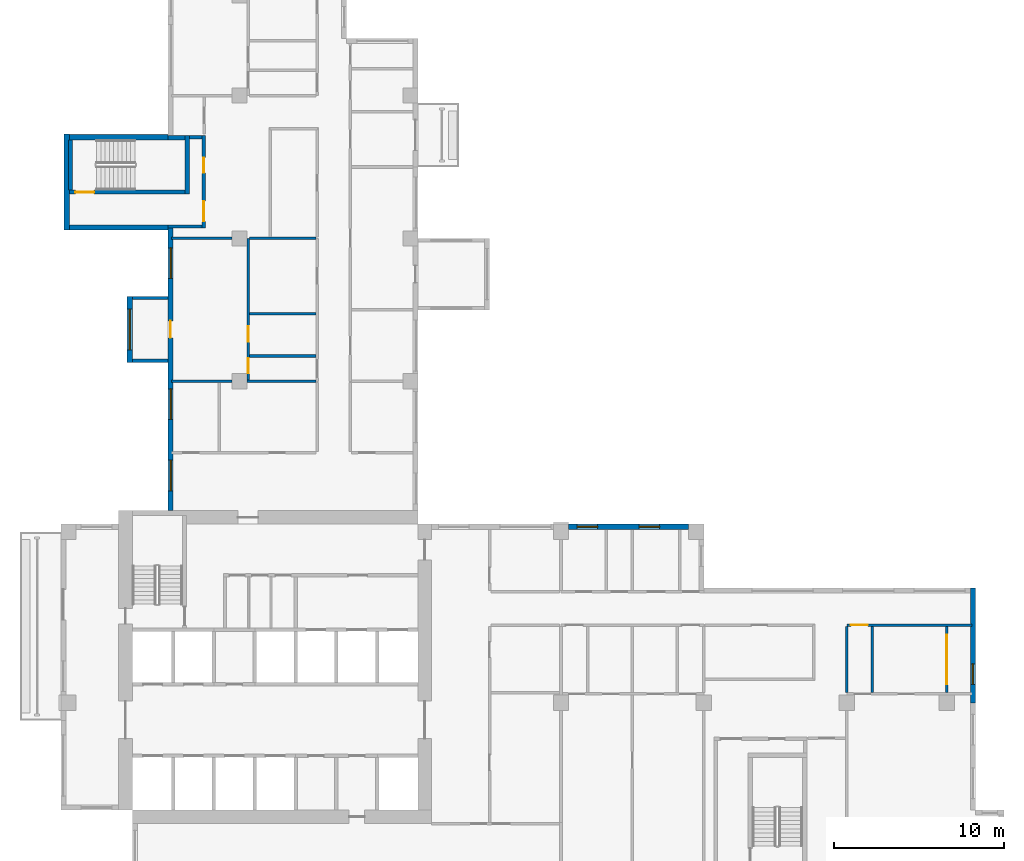
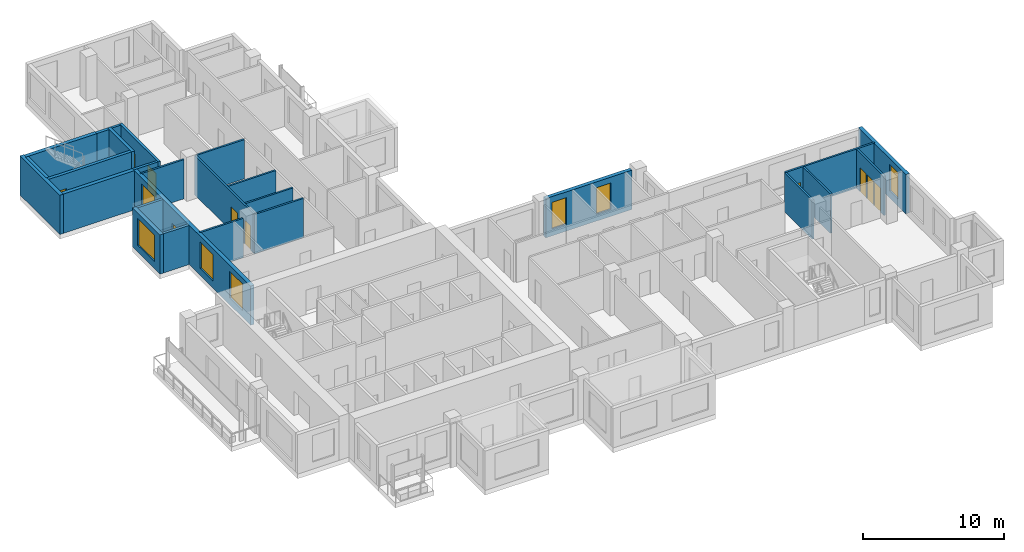
# One storey, part 6 of 12: 27 walls, 10 doors, 7 windows, 17 openings.
"""IFC4 building model written with IfcOpenShell, lengths in metres."""

from ifc_helpers import new_model, si_unit, direction, frame, frame_2d, origin, place, context, subcontext, project, spatial, rectangle, extrude, source, transform, mapped, material, layer, layer_set, type_object, element, fill, save


model = new_model("IFC4")

# Units and contexts
model_context = context("Model", 3, precision=1e-05, world=origin(), true_north=direction((0.0, 1.0)))
body_context = subcontext(model_context, "Body", "Model", "MODEL_VIEW")
ifc_project = project(units=[si_unit("LENGTHUNIT", "METRE"), si_unit("AREAUNIT", "SQUARE_METRE"), si_unit("VOLUMEUNIT", "CUBIC_METRE"), si_unit("PLANEANGLEUNIT", "RADIAN"), si_unit("MASSUNIT", "GRAM", prefix="KILO")], contexts=[model_context])

# Site, building, storey
site_placement = place(None, origin())
site = spatial("IfcSite", under=ifc_project, at=site_placement, CompositionType="ELEMENT")
building_placement = place(site_placement, origin())
building = spatial("IfcBuilding", under=site, at=building_placement, Name="Aurelian Terraces", CompositionType="ELEMENT")
storey_placement = place(building_placement, frame((0.0, 0.0, 223.4)))
storey = spatial("IfcBuildingStorey", under=building, at=storey_placement, Name="L50", CompositionType="ELEMENT", Elevation=223.4)

# Walls
ifc_material_1 = material(Name="Concrete fc' 40 MPa", Category="concrete")
ifc_layer_1 = layer(ifc_material_1, 0.3)
ifc_layer_set_1 = layer_set([ifc_layer_1], Name="STAIR BAY WALL 300")
wall_type_1 = type_object("IfcWallType", Name="STAIR BAY WALL 300", PredefinedType="SOLIDWALL", material=ifc_layer_set_1)
shared_shape_1 = source(origin(), body_context, "Body", "SweptSolid", [
    extrude(rectangle(XDim=6.1, YDim=0.3, at=frame_2d((3.05, 0.0))), origin(), (0.0, 0.0, 1.0), 3.4),
])
for number, where, z_axis, x_axis, name in (
    (1, (6.3, 43.75, 0.0), (0.0, 0.0, 1.0), (-1.0, 0.0, 0.0), "Stair bay wall L50 F13.27"),
    (2, (0.2, 38.45, 0.0), (0.0, 0.0, 1.0), (1.0, 0.0, 0.0), "Stair bay wall L50 F15.29"),
):
    element("IfcWall", number, at=place(storey_placement, frame(where, z_axis=z_axis, x_axis=x_axis)), inside=storey, type_object=wall_type_1, Name=name, PredefinedType="SOLIDWALL", context=body_context, shape_type="MappedRepresentation", body=[
        mapped(shared_shape_1, transform((0.0, 0.0, 0.0), scale=1.0)),
    ])

# Wall, openings, windows
ifc_material_2 = material(Name="Terracotta rainscreen cladding", Category="masonry")
ifc_layer_2 = layer(ifc_material_2, 0.3)
ifc_layer_set_2 = layer_set([ifc_layer_2], Name="EW-300")
wall_type_2 = type_object("IfcWallType", Name="EW-300", PredefinedType="STANDARD", material=ifc_layer_set_2)
shared_shape_2 = source(origin(), body_context, "Body", "SweptSolid", [
    extrude(rectangle(XDim=7.05, YDim=0.3, at=frame_2d((3.525, 0.0))), origin(), (0.0, 0.0, 1.0), 3.4),
])
wall_1_placement = place(storey_placement, frame((36.9, 20.85, 0.0), z_axis=(0.0, 0.0, 1.0), x_axis=(-1.0, 0.0, 0.0)))
wall_1 = element("IfcWall", 3, at=wall_1_placement, inside=storey, type_object=wall_type_2, Name="External wall L50 F07.15", PredefinedType="STANDARD", context=body_context, shape_type="MappedRepresentation", body=[
    mapped(shared_shape_2, transform((0.0, 0.0, 0.0), scale=1.0)),
])
shared_shape_3 = source(origin(), body_context, "Body", "SweptSolid", [
    extrude(rectangle(XDim=1.2, YDim=2.3, at=frame_2d((0.6, 1.15))), frame((0.0, 0.16, 0.0), z_axis=(0.0, -1.0, 0.0), x_axis=(1.0, 0.0, 0.0)), (0.0, 0.0, 1.0), 0.32),
])
opening_1_placement = place(wall_1_placement, frame((5.354, 0.0, 0.6)))
opening_1 = element("IfcOpeningElement", 4, at=opening_1_placement, cuts=wall_1, Name="Opening W1223", PredefinedType="OPENING", context=body_context, shape_type="MappedRepresentation", body=[
    mapped(shared_shape_3, transform((0.0, 0.0, 0.0), scale=1.0)),
])
opening_2_placement = place(wall_1_placement, frame((1.701, 0.0, 0.6)))
opening_2 = element("IfcOpeningElement", 5, at=opening_2_placement, cuts=wall_1, Name="Opening W1223", PredefinedType="OPENING", context=body_context, shape_type="MappedRepresentation", body=[
    mapped(shared_shape_3, transform((0.0, 0.0, 0.0), scale=1.0)),
])
ifc_material_3 = material(Name="Clear glazing", Category="glass")
window_type_1 = type_object("IfcWindowType", Name="W-1200x2300", PartitioningType="SINGLE_PANEL", PredefinedType="WINDOW", material=ifc_material_3)
shared_shape_4 = source(origin(), body_context, "Body", "SweptSolid", [
    extrude(rectangle(XDim=1.2, YDim=2.3, at=frame_2d((0.6, 1.15))), frame((0.0, 0.03, 0.0), z_axis=(0.0, -1.0, 0.0), x_axis=(1.0, 0.0, 0.0)), (0.0, 0.0, 1.0), 0.06),
])
window_1_placement = place(opening_1_placement, origin())
window_1 = element("IfcWindow", 6, at=window_1_placement, inside=storey, type_object=window_type_1, Name="Window L50 L50-F07-15-1", OverallHeight=2.3, OverallWidth=1.2, PartitioningType="SINGLE_PANEL", PredefinedType="WINDOW", context=body_context, shape_type="MappedRepresentation", body=[
    mapped(shared_shape_4, transform((0.0, 0.0, 0.0), scale=1.0)),
])
fill(opening_1, window_1)
window_2_placement = place(opening_2_placement, origin())
window_2 = element("IfcWindow", 7, at=window_2_placement, inside=storey, type_object=window_type_1, Name="Window L50 L50-F07-15-G0-9", OverallHeight=2.3, OverallWidth=1.2, PartitioningType="SINGLE_PANEL", PredefinedType="WINDOW", context=body_context, shape_type="MappedRepresentation", body=[
    mapped(shared_shape_4, transform((0.0, 0.0, 0.0), scale=1.0)),
])
fill(opening_2, window_2)

# Wall
shared_shape_5 = source(origin(), body_context, "Body", "SweptSolid", [
    extrude(rectangle(XDim=5.65, YDim=0.3, at=frame_2d((2.825, 0.0))), origin(), (0.0, 0.0, 1.0), 3.4),
])
wall_2_placement = place(storey_placement, frame((0.35, 43.95, 0.0), z_axis=(0.0, 0.0, 1.0), x_axis=(0.0, -1.0, 0.0)))
element("IfcWall", 8, at=wall_2_placement, inside=storey, type_object=wall_type_1, Name="Stair bay wall L50 F14.28", PredefinedType="SOLIDWALL", context=body_context, shape_type="MappedRepresentation", body=[
    mapped(shared_shape_5, transform((0.0, 0.0, 0.0), scale=1.0)),
])

# Wall, openings, windows, door
shared_shape_6 = source(origin(), body_context, "Body", "SweptSolid", [
    extrude(rectangle(XDim=16.6, YDim=0.3, at=frame_2d((8.3, 0.0))), origin(), (0.0, 0.0, 1.0), 3.4),
])
wall_3_placement = place(storey_placement, frame((6.45, 38.4, 0.0), z_axis=(0.0, 0.0, 1.0), x_axis=(0.0, -1.0, 0.0)))
wall_3 = element("IfcWall", 9, at=wall_3_placement, inside=storey, type_object=wall_type_2, Name="External wall L50 F16.30", PredefinedType="STANDARD", context=body_context, shape_type="MappedRepresentation", body=[
    mapped(shared_shape_6, transform((0.0, 0.0, 0.0), scale=1.0)),
])
shared_shape_7 = source(origin(), body_context, "Body", "SweptSolid", [
    extrude(rectangle(XDim=1.8, YDim=2.3, at=frame_2d((0.9, 1.15))), frame((0.0, 0.16, 0.0), z_axis=(0.0, -1.0, 0.0), x_axis=(1.0, 0.0, 0.0)), (0.0, 0.0, 1.0), 0.32),
])
opening_3_placement = place(wall_3_placement, frame((1.15, 0.0, 0.6)))
opening_3 = element("IfcOpeningElement", 10, at=opening_3_placement, cuts=wall_3, Name="Opening W1823", PredefinedType="OPENING", context=body_context, shape_type="MappedRepresentation", body=[
    mapped(shared_shape_7, transform((0.0, 0.0, 0.0), scale=1.0)),
])
opening_4_placement = place(wall_3_placement, frame((9.4375, 0.0, 0.6)))
opening_4 = element("IfcOpeningElement", 11, at=opening_4_placement, cuts=wall_3, Name="Opening W1823", PredefinedType="OPENING", context=body_context, shape_type="MappedRepresentation", body=[
    mapped(shared_shape_7, transform((0.0, 0.0, 0.0), scale=1.0)),
])
opening_5_placement = place(wall_3_placement, frame((13.6375, 0.0, 0.6)))
opening_5 = element("IfcOpeningElement", 12, at=opening_5_placement, cuts=wall_3, Name="Opening W1823", PredefinedType="OPENING", context=body_context, shape_type="MappedRepresentation", body=[
    mapped(shared_shape_7, transform((0.0, 0.0, 0.0), scale=1.0)),
])
shared_shape_8 = source(origin(), body_context, "Body", "SweptSolid", [
    extrude(rectangle(XDim=1.0, YDim=2.1, at=frame_2d((0.5, 1.05))), frame((0.0, 0.16, 0.0), z_axis=(0.0, -1.0, 0.0), x_axis=(1.0, 0.0, 0.0)), (0.0, 0.0, 1.0), 0.32),
])
opening_6_placement = place(wall_3_placement, frame((5.45, 0.0, 0.0)))
opening_6 = element("IfcOpeningElement", 13, at=opening_6_placement, cuts=wall_3, Name="Opening 850004", PredefinedType="OPENING", context=body_context, shape_type="MappedRepresentation", body=[
    mapped(shared_shape_8, transform((0.0, 0.0, 0.0), scale=1.0)),
])
window_type_2 = type_object("IfcWindowType", Name="W-1800x2300", PartitioningType="SINGLE_PANEL", PredefinedType="WINDOW", material=ifc_material_3)
shared_shape_9 = source(origin(), body_context, "Body", "SweptSolid", [
    extrude(rectangle(XDim=1.8, YDim=2.3, at=frame_2d((0.9, 1.15))), frame((0.0, 0.03, 0.0), z_axis=(0.0, -1.0, 0.0), x_axis=(1.0, 0.0, 0.0)), (0.0, 0.0, 1.0), 0.06),
])
window_3_placement = place(opening_3_placement, origin())
window_3 = element("IfcWindow", 14, at=window_3_placement, inside=storey, type_object=window_type_2, Name="Window L50 L50-F16-30-0", OverallHeight=2.3, OverallWidth=1.8, PartitioningType="SINGLE_PANEL", PredefinedType="WINDOW", context=body_context, shape_type="MappedRepresentation", body=[
    mapped(shared_shape_9, transform((0.0, 0.0, 0.0), scale=1.0)),
])
fill(opening_3, window_3)
window_4_placement = place(opening_4_placement, origin())
window_4 = element("IfcWindow", 15, at=window_4_placement, inside=storey, type_object=window_type_2, Name="Window L50 L50-F16-30-2", OverallHeight=2.3, OverallWidth=1.8, PartitioningType="SINGLE_PANEL", PredefinedType="WINDOW", context=body_context, shape_type="MappedRepresentation", body=[
    mapped(shared_shape_9, transform((0.0, 0.0, 0.0), scale=1.0)),
])
fill(opening_4, window_4)
window_5_placement = place(opening_5_placement, origin())
window_5 = element("IfcWindow", 16, at=window_5_placement, inside=storey, type_object=window_type_2, Name="Window L50 L50-F16-30-3", OverallHeight=2.3, OverallWidth=1.8, PartitioningType="SINGLE_PANEL", PredefinedType="WINDOW", context=body_context, shape_type="MappedRepresentation", body=[
    mapped(shared_shape_9, transform((0.0, 0.0, 0.0), scale=1.0)),
])
fill(opening_5, window_5)
ifc_material_4 = material(Name="Timber door leaf", Category="wood")
door_type_1 = type_object("IfcDoorType", Name="Room door 1000x2100 left", OperationType="SINGLE_SWING_LEFT", PredefinedType="DOOR", material=ifc_material_4)
shared_shape_10 = source(origin(), body_context, "Body", "SweptSolid", [
    extrude(rectangle(XDim=1.0, YDim=2.1, at=frame_2d((0.5, 1.05))), frame((0.0, 0.025, 0.0), z_axis=(0.0, -1.0, 0.0), x_axis=(1.0, 0.0, 0.0)), (0.0, 0.0, 1.0), 0.05),
])
door_1_placement = place(opening_6_placement, origin())
door_1 = element("IfcDoor", 17, at=door_1_placement, inside=storey, type_object=door_type_1, Name="Door 850004", OperationType="SINGLE_SWING_LEFT", OverallHeight=2.1, OverallWidth=1.0, PredefinedType="DOOR", context=body_context, shape_type="MappedRepresentation", body=[
    mapped(shared_shape_10, transform((0.0, 0.0, 0.0), scale=1.0)),
])
fill(opening_6, door_1)

# Walls
ifc_layer_3 = layer(ifc_material_1, 0.2)
ifc_layer_set_3 = layer_set([ifc_layer_3], Name="BOX BEARING WALL 200")
wall_type_3 = type_object("IfcWallType", Name="BOX BEARING WALL 200", PredefinedType="SOLIDWALL", material=ifc_layer_set_3)
shared_shape_11 = source(origin(), body_context, "Body", "SweptSolid", [
    extrude(rectangle(XDim=2.1, YDim=0.2, at=frame_2d((1.05, 0.0))), origin(), (0.0, 0.0, 1.0), 3.4),
])
for number, where, z_axis, x_axis, name in (
    (18, (6.3, 34.3, 0.0), (0.0, 0.0, 1.0), (-1.0, 0.0, 0.0), "Box return L50 J73.1"),
    (19, (6.3, 30.6, 0.0), (0.0, 0.0, 1.0), (-1.0, 0.0, 0.0), "Box return L50 J73.2"),
):
    element("IfcWall", number, at=place(storey_placement, frame(where, z_axis=z_axis, x_axis=x_axis)), inside=storey, type_object=wall_type_3, Name=name, PredefinedType="SOLIDWALL", context=body_context, shape_type="MappedRepresentation", body=[
        mapped(shared_shape_11, transform((0.0, 0.0, 0.0), scale=1.0)),
    ])

# Wall, opening, window
shared_shape_12 = source(origin(), body_context, "Body", "SweptSolid", [
    extrude(rectangle(XDim=6.75, YDim=0.3, at=frame_2d((3.375, 0.0))), origin(), (0.0, 0.0, 1.0), 3.4),
])
wall_4_placement = place(storey_placement, frame((53.61, 10.5, 0.0), z_axis=(0.0, 0.0, 1.0), x_axis=(0.0, 1.0, 0.0)))
wall_4 = element("IfcWall", 20, at=wall_4_placement, inside=storey, type_object=wall_type_2, Name="External wall L50 F04.12", PredefinedType="STANDARD", context=body_context, shape_type="MappedRepresentation", body=[
    mapped(shared_shape_12, transform((0.0, 0.0, 0.0), scale=1.0)),
])
opening_7_placement = place(wall_4_placement, frame((1.0875, 0.0, 0.6)))
opening_7 = element("IfcOpeningElement", 21, at=opening_7_placement, cuts=wall_4, Name="Opening W1223", PredefinedType="OPENING", context=body_context, shape_type="MappedRepresentation", body=[
    mapped(shared_shape_3, transform((0.0, 0.0, 0.0), scale=1.0)),
])
window_6_placement = place(opening_7_placement, origin())
window_6 = element("IfcWindow", 22, at=window_6_placement, inside=storey, type_object=window_type_1, Name="Window L50 L50-F04-12-0", OverallHeight=2.3, OverallWidth=1.2, PartitioningType="SINGLE_PANEL", PredefinedType="WINDOW", context=body_context, shape_type="MappedRepresentation", body=[
    mapped(shared_shape_4, transform((0.0, 0.0, 0.0), scale=1.0)),
])
fill(opening_7, window_6)

ifc_layer_4 = layer(ifc_material_1, 0.3)
ifc_layer_set_4 = layer_set([ifc_layer_4], Name="BOX BEARING WALL 300")
wall_type_4 = type_object("IfcWallType", Name="BOX BEARING WALL 300", PredefinedType="SOLIDWALL", material=ifc_layer_set_4)
shared_shape_13 = source(origin(), body_context, "Body", "SweptSolid", [
    extrude(rectangle(XDim=3.9, YDim=0.3, at=frame_2d((1.95, 0.0))), origin(), (0.0, 0.0, 1.0), 3.4),
])
wall_5_placement = place(storey_placement, frame((4.05, 34.4, 0.0), z_axis=(0.0, 0.0, 1.0), x_axis=(0.0, -1.0, 0.0)))
wall_5 = element("IfcWall", 23, at=wall_5_placement, inside=storey, type_object=wall_type_4, Name="Box wall L50 J73", PredefinedType="SOLIDWALL", context=body_context, shape_type="MappedRepresentation", body=[
    mapped(shared_shape_13, transform((0.0, 0.0, 0.0), scale=1.0)),
])
shared_shape_14 = source(origin(), body_context, "Body", "SweptSolid", [
    extrude(rectangle(XDim=2.4, YDim=2.3, at=frame_2d((1.2, 1.15))), frame((0.0, 0.16, 0.0), z_axis=(0.0, -1.0, 0.0), x_axis=(1.0, 0.0, 0.0)), (0.0, 0.0, 1.0), 0.32),
])
opening_8_placement = place(wall_5_placement, frame((0.75, 0.0, 0.6)))
opening_8 = element("IfcOpeningElement", 24, at=opening_8_placement, cuts=wall_5, Name="Opening W2423", PredefinedType="OPENING", context=body_context, shape_type="MappedRepresentation", body=[
    mapped(shared_shape_14, transform((0.0, 0.0, 0.0), scale=1.0)),
])
window_type_3 = type_object("IfcWindowType", Name="W-2400x2300", PartitioningType="SINGLE_PANEL", PredefinedType="WINDOW", material=ifc_material_3)
shared_shape_15 = source(origin(), body_context, "Body", "SweptSolid", [
    extrude(rectangle(XDim=2.4, YDim=2.3, at=frame_2d((1.2, 1.15))), frame((0.0, 0.03, 0.0), z_axis=(0.0, -1.0, 0.0), x_axis=(1.0, 0.0, 0.0)), (0.0, 0.0, 1.0), 0.06),
])
window_7_placement = place(opening_8_placement, origin())
window_7 = element("IfcWindow", 25, at=window_7_placement, inside=storey, type_object=window_type_3, Name="Window L50 J73-F1", OverallHeight=2.3, OverallWidth=2.4, PartitioningType="SINGLE_PANEL", PredefinedType="WINDOW", context=body_context, shape_type="MappedRepresentation", body=[
    mapped(shared_shape_15, transform((0.0, 0.0, 0.0), scale=1.0)),
])
fill(opening_8, window_7)

# Wall, opening, door
ifc_layer_5 = layer(ifc_material_1, 0.25)
ifc_layer_set_5 = layer_set([ifc_layer_5], Name="Stair enclosure wall 250")
wall_type_5 = type_object("IfcWallType", Name="Stair enclosure wall 250", PredefinedType="SOLIDWALL", material=ifc_layer_set_5)
shared_shape_16 = source(origin(), body_context, "Body", "SweptSolid", [
    extrude(rectangle(XDim=7.0, YDim=0.25, at=frame_2d((3.5, 0.0))), origin(), (0.0, 0.0, 1.0), 3.4),
])
wall_6_placement = place(storey_placement, frame((0.3, 40.525, 0.0), z_axis=(0.0, 0.0, 1.0), x_axis=(1.0, 0.0, 0.0)))
wall_6 = element("IfcWall", 26, at=wall_6_placement, inside=storey, type_object=wall_type_5, Name="L50 core wall ST-S3-W", PredefinedType="SOLIDWALL", context=body_context, shape_type="MappedRepresentation", body=[
    mapped(shared_shape_16, transform((0.0, 0.0, 0.0), scale=1.0)),
])
shared_shape_17 = source(origin(), body_context, "Body", "SweptSolid", [
    extrude(rectangle(XDim=1.1, YDim=2.1, at=frame_2d((0.55, 1.05))), frame((0.0, 0.135, 0.0), z_axis=(0.0, -1.0, 0.0), x_axis=(1.0, 0.0, 0.0)), (0.0, 0.0, 1.0), 0.27),
])
opening_9_placement = place(wall_6_placement, frame((0.55, 0.0, 0.0)))
opening_9 = element("IfcOpeningElement", 27, at=opening_9_placement, cuts=wall_6, Name="Opening 65320", PredefinedType="OPENING", context=body_context, shape_type="MappedRepresentation", body=[
    mapped(shared_shape_17, transform((0.0, 0.0, 0.0), scale=1.0)),
])
ifc_material_5 = material(Name="Steel door leaf", Category="steel")
door_type_2 = type_object("IfcDoorType", Name="Core fire door 1100x2100 right", OperationType="SINGLE_SWING_RIGHT", PredefinedType="DOOR", material=ifc_material_5)
shared_shape_18 = source(origin(), body_context, "Body", "SweptSolid", [
    extrude(rectangle(XDim=1.1, YDim=2.1, at=frame_2d((0.55, 1.05))), frame((0.0, 0.025, 0.0), z_axis=(0.0, -1.0, 0.0), x_axis=(1.0, 0.0, 0.0)), (0.0, 0.0, 1.0), 0.05),
])
door_2_placement = place(opening_9_placement, origin())
door_2 = element("IfcDoor", 28, at=door_2_placement, inside=storey, type_object=door_type_2, Name="Stair door 65320", OperationType="SINGLE_SWING_RIGHT", OverallHeight=2.1, OverallWidth=1.1, PredefinedType="DOOR", context=body_context, shape_type="MappedRepresentation", body=[
    mapped(shared_shape_18, transform((0.0, 0.0, 0.0), scale=1.0)),
])
fill(opening_9, door_2)

# Walls
shared_shape_19 = source(origin(), body_context, "Body", "SweptSolid", [
    extrude(rectangle(XDim=3.45, YDim=0.25, at=frame_2d((1.725, 0.0))), origin(), (0.0, 0.0, 1.0), 3.4),
])
wall_7_placement = place(storey_placement, frame((7.425, 40.4, 0.0), z_axis=(0.0, 0.0, 1.0), x_axis=(0.0, 1.0, 0.0)))
element("IfcWall", 29, at=wall_7_placement, inside=storey, type_object=wall_type_5, Name="L50 core wall ST-S3-N", PredefinedType="SOLIDWALL", context=body_context, shape_type="MappedRepresentation", body=[
    mapped(shared_shape_19, transform((0.0, 0.0, 0.0), scale=1.0)),
])
shared_shape_20 = source(origin(), body_context, "Body", "SweptSolid", [
    extrude(rectangle(XDim=2.95, YDim=0.25, at=frame_2d((1.475, 0.0))), origin(), (0.0, 0.0, 1.0), 3.4),
])
wall_8_placement = place(storey_placement, frame((0.575, 40.65, 0.0), z_axis=(0.0, 0.0, 1.0), x_axis=(0.0, 1.0, 0.0)))
element("IfcWall", 30, at=wall_8_placement, inside=storey, type_object=wall_type_5, Name="L50 core wall ST-S3-SS", PredefinedType="SOLIDWALL", context=body_context, shape_type="MappedRepresentation", body=[
    mapped(shared_shape_20, transform((0.0, 0.0, 0.0), scale=1.0)),
])

# Wall, openings, doors
ifc_material_6 = material(Name="Gypsum board on steel studs", Category="steel")
ifc_layer_6 = layer(ifc_material_6, 0.2)
ifc_layer_set_6 = layer_set([ifc_layer_6], Name="Core partition 200")
wall_type_6 = type_object("IfcWallType", Name="Core partition 200", PredefinedType="PARTITIONING", material=ifc_layer_set_6)
shared_shape_21 = source(origin(), body_context, "Body", "SweptSolid", [
    extrude(rectangle(XDim=5.45, YDim=0.2, at=frame_2d((2.725, 0.0))), origin(), (0.0, 0.0, 1.0), 3.4),
])
wall_9_placement = place(storey_placement, frame((8.4, 38.4, 0.0), z_axis=(0.0, 0.0, 1.0), x_axis=(0.0, 1.0, 0.0)))
wall_9 = element("IfcWall", 31, at=wall_9_placement, inside=storey, type_object=wall_type_6, Name="L50 core wall ST-S3-BN", PredefinedType="PARTITIONING", context=body_context, shape_type="MappedRepresentation", body=[
    mapped(shared_shape_21, transform((0.0, 0.0, 0.0), scale=1.0)),
])
shared_shape_22 = source(origin(), body_context, "Body", "SweptSolid", [
    extrude(rectangle(XDim=1.2, YDim=2.1, at=frame_2d((0.6, 1.05))), frame((0.0, 0.11, 0.0), z_axis=(0.0, -1.0, 0.0), x_axis=(1.0, 0.0, 0.0)), (0.0, 0.0, 1.0), 0.22),
])
opening_10_placement = place(wall_9_placement, frame((0.4, 0.0, 0.0)))
opening_10 = element("IfcOpeningElement", 32, at=opening_10_placement, cuts=wall_9, Name="Opening 65321", PredefinedType="OPENING", context=body_context, shape_type="MappedRepresentation", body=[
    mapped(shared_shape_22, transform((0.0, 0.0, 0.0), scale=1.0)),
])
shared_shape_23 = source(origin(), body_context, "Body", "SweptSolid", [
    extrude(rectangle(XDim=0.9, YDim=2.1, at=frame_2d((0.45, 1.05))), frame((0.0, 0.11, 0.0), z_axis=(0.0, -1.0, 0.0), x_axis=(1.0, 0.0, 0.0)), (0.0, 0.0, 1.0), 0.22),
])
opening_11_placement = place(wall_9_placement, frame((3.25, 0.0, 0.0)))
opening_11 = element("IfcOpeningElement", 33, at=opening_11_placement, cuts=wall_9, Name="Opening 65322", PredefinedType="OPENING", context=body_context, shape_type="MappedRepresentation", body=[
    mapped(shared_shape_23, transform((0.0, 0.0, 0.0), scale=1.0)),
])
door_type_3 = type_object("IfcDoorType", Name="Core riser door 900x2100 right", OperationType="SINGLE_SWING_RIGHT", PredefinedType="DOOR", material=ifc_material_5)
shared_shape_24 = source(origin(), body_context, "Body", "SweptSolid", [
    extrude(rectangle(XDim=0.9, YDim=2.1, at=frame_2d((0.45, 1.05))), frame((0.0, 0.025, 0.0), z_axis=(0.0, -1.0, 0.0), x_axis=(1.0, 0.0, 0.0)), (0.0, 0.0, 1.0), 0.05),
])
door_3_placement = place(opening_11_placement, origin())
door_3 = element("IfcDoor", 34, at=door_3_placement, inside=storey, type_object=door_type_3, Name="Riser door 65322", OperationType="SINGLE_SWING_RIGHT", OverallHeight=2.1, OverallWidth=0.9, PredefinedType="DOOR", context=body_context, shape_type="MappedRepresentation", body=[
    mapped(shared_shape_24, transform((0.0, 0.0, 0.0), scale=1.0)),
])
fill(opening_11, door_3)
door_type_4 = type_object("IfcDoorType", Name="Core fire door 1200x2100", OperationType="SINGLE_SWING_LEFT", PredefinedType="DOOR", material=ifc_material_5)
shared_shape_25 = source(origin(), body_context, "Body", "SweptSolid", [
    extrude(rectangle(XDim=1.2, YDim=2.1, at=frame_2d((0.6, 1.05))), frame((0.0, 0.025, 0.0), z_axis=(0.0, -1.0, 0.0), x_axis=(1.0, 0.0, 0.0)), (0.0, 0.0, 1.0), 0.05),
])
door_4_placement = place(opening_10_placement, origin())
door_4 = element("IfcDoor", 35, at=door_4_placement, inside=storey, type_object=door_type_4, Name="Vestibule door 65321", OperationType="SINGLE_SWING_LEFT", OverallHeight=2.1, OverallWidth=1.2, PredefinedType="DOOR", context=body_context, shape_type="MappedRepresentation", body=[
    mapped(shared_shape_25, transform((0.0, 0.0, 0.0), scale=1.0)),
])
fill(opening_10, door_4)

# Walls
shared_shape_26 = source(origin(), body_context, "Body", "SweptSolid", [
    extrude(rectangle(XDim=0.75, YDim=0.2, at=frame_2d((0.375, 0.0))), origin(), (0.0, 0.0, 1.0), 3.4),
])
wall_10_placement = place(storey_placement, frame((7.55, 43.75, 0.0), z_axis=(0.0, 0.0, 1.0), x_axis=(1.0, 0.0, 0.0)))
element("IfcWall", 36, at=wall_10_placement, inside=storey, type_object=wall_type_6, Name="L50 core wall ST-S3-RE", PredefinedType="PARTITIONING", context=body_context, shape_type="MappedRepresentation", body=[
    mapped(shared_shape_26, transform((0.0, 0.0, 0.0), scale=1.0)),
])
shared_shape_27 = source(origin(), body_context, "Body", "SweptSolid", [
    extrude(rectangle(XDim=1.0, YDim=0.25, at=frame_2d((0.5, 0.0))), origin(), (0.0, 0.0, 1.0), 3.4),
])
wall_11_placement = place(storey_placement, frame((6.3, 43.725, 0.0), z_axis=(0.0, 0.0, 1.0), x_axis=(1.0, 0.0, 0.0)))
element("IfcWall", 37, at=wall_11_placement, inside=storey, type_object=wall_type_5, Name="L50 core wall ST-S3-E", PredefinedType="SOLIDWALL", context=body_context, shape_type="MappedRepresentation", body=[
    mapped(shared_shape_27, transform((0.0, 0.0, 0.0), scale=1.0)),
])
shared_shape_28 = source(origin(), body_context, "Body", "SweptSolid", [
    extrude(rectangle(XDim=2.0, YDim=0.2, at=frame_2d((1.0, 0.0))), origin(), (0.0, 0.0, 1.0), 3.4),
])
wall_12_placement = place(storey_placement, frame((6.3, 38.5, 0.0), z_axis=(0.0, 0.0, 1.0), x_axis=(1.0, 0.0, 0.0)))
element("IfcWall", 38, at=wall_12_placement, inside=storey, type_object=wall_type_6, Name="L50 core wall ST-S3-VW", PredefinedType="PARTITIONING", context=body_context, shape_type="MappedRepresentation", body=[
    mapped(shared_shape_28, transform((0.0, 0.0, 0.0), scale=1.0)),
])
ifc_layer_7 = layer(ifc_material_6, 0.15)
ifc_layer_set_7 = layer_set([ifc_layer_7], Name="Partition 150")
wall_type_7 = type_object("IfcWallType", Name="Partition 150", PredefinedType="PARTITIONING", material=ifc_layer_set_7)
shared_shape_29 = source(origin(), body_context, "Body", "SweptSolid", [
    extrude(rectangle(XDim=3.9, YDim=0.15, at=frame_2d((1.95, 0.0))), origin(), (0.0, 0.0, 1.0), 3.4),
])
wall_13_placement = place(storey_placement, frame((47.6901, 11.1, 0.0), z_axis=(0.0, 0.0, 1.0), x_axis=(0.0, 1.0, 0.0)))
element("IfcWall", 39, at=wall_13_placement, inside=storey, type_object=wall_type_7, Name="Partition", PredefinedType="PARTITIONING", context=body_context, shape_type="MappedRepresentation", body=[
    mapped(shared_shape_29, transform((0.0, 0.0, 0.0), scale=1.0)),
])

# Wall, openings, doors
wall_14_placement = place(storey_placement, frame((52.08, 11.1, 0.0), z_axis=(0.0, 0.0, 1.0), x_axis=(0.0, 1.0, 0.0)))
wall_14 = element("IfcWall", 40, at=wall_14_placement, inside=storey, type_object=wall_type_7, Name="Partition", PredefinedType="PARTITIONING", context=body_context, shape_type="MappedRepresentation", body=[
    mapped(shared_shape_29, transform((0.0, 0.0, 0.0), scale=1.0)),
])
shared_shape_30 = source(origin(), body_context, "Body", "SweptSolid", [
    extrude(rectangle(XDim=0.9, YDim=2.1, at=frame_2d((0.45, 1.05))), frame((0.0, 0.085, 0.0), z_axis=(0.0, -1.0, 0.0), x_axis=(1.0, 0.0, 0.0)), (0.0, 0.0, 1.0), 0.17),
])
opening_12_placement = place(wall_14_placement, frame((1.5, 0.0, 0.0)))
opening_12 = element("IfcOpeningElement", 41, at=opening_12_placement, cuts=wall_14, Name="Opening 750040", PredefinedType="OPENING", context=body_context, shape_type="MappedRepresentation", body=[
    mapped(shared_shape_30, transform((0.0, 0.0, 0.0), scale=1.0)),
])
opening_13_placement = place(wall_14_placement, frame((2.5, 0.0, 0.0)))
opening_13 = element("IfcOpeningElement", 42, at=opening_13_placement, cuts=wall_14, Name="Opening 750041", PredefinedType="OPENING", context=body_context, shape_type="MappedRepresentation", body=[
    mapped(shared_shape_30, transform((0.0, 0.0, 0.0), scale=1.0)),
])
opening_14_placement = place(wall_14_placement, frame((0.5, 0.0, 0.0)))
opening_14 = element("IfcOpeningElement", 43, at=opening_14_placement, cuts=wall_14, Name="Opening 750042", PredefinedType="OPENING", context=body_context, shape_type="MappedRepresentation", body=[
    mapped(shared_shape_30, transform((0.0, 0.0, 0.0), scale=1.0)),
])
door_type_5 = type_object("IfcDoorType", Name="Room door 900x2100 left", OperationType="SINGLE_SWING_LEFT", PredefinedType="DOOR", material=ifc_material_4)
door_5_placement = place(opening_12_placement, origin())
door_5 = element("IfcDoor", 44, at=door_5_placement, inside=storey, type_object=door_type_5, Name="Door 750040", OperationType="SINGLE_SWING_LEFT", OverallHeight=2.1, OverallWidth=0.9, PredefinedType="DOOR", context=body_context, shape_type="MappedRepresentation", body=[
    mapped(shared_shape_24, transform((0.0, 0.0, 0.0), scale=1.0)),
])
fill(opening_12, door_5)
door_type_6 = type_object("IfcDoorType", Name="Entrance fire door 900x2100 left", OperationType="SINGLE_SWING_LEFT", PredefinedType="DOOR", material=ifc_material_5)
door_6_placement = place(opening_13_placement, origin())
door_6 = element("IfcDoor", 45, at=door_6_placement, inside=storey, type_object=door_type_6, Name="Door 750041", OperationType="SINGLE_SWING_LEFT", OverallHeight=2.1, OverallWidth=0.9, PredefinedType="DOOR", context=body_context, shape_type="MappedRepresentation", body=[
    mapped(shared_shape_24, transform((0.0, 0.0, 0.0), scale=1.0)),
])
fill(opening_13, door_6)
door_7_placement = place(opening_14_placement, origin())
door_7 = element("IfcDoor", 46, at=door_7_placement, inside=storey, type_object=door_type_6, Name="Door 750042", OperationType="SINGLE_SWING_LEFT", OverallHeight=2.1, OverallWidth=0.9, PredefinedType="DOOR", context=body_context, shape_type="MappedRepresentation", body=[
    mapped(shared_shape_24, transform((0.0, 0.0, 0.0), scale=1.0)),
])
fill(opening_14, door_7)

# Walls
ifc_layer_8 = layer(ifc_material_6, 0.15)
ifc_layer_set_8 = layer_set([ifc_layer_8], Name="Fire partition 150")
wall_type_8 = type_object("IfcWallType", Name="Fire partition 150", PredefinedType="PARTITIONING", material=ifc_layer_set_8)
wall_15_placement = place(storey_placement, frame((46.2, 11.1, 0.0), z_axis=(0.0, 0.0, 1.0), x_axis=(0.0, 1.0, 0.0)))
element("IfcWall", 47, at=wall_15_placement, inside=storey, type_object=wall_type_8, Name="Party wall", PredefinedType="PARTITIONING", context=body_context, shape_type="MappedRepresentation", body=[
    mapped(shared_shape_29, transform((0.0, 0.0, 0.0), scale=1.0)),
])
for number, where, z_axis, x_axis, name in (
    (48, (15.0, 30.8901, 0.0), (0.0, 0.0, 1.0), (-1.0, 0.0, 0.0), "Partition"),
    (49, (15.0, 33.3665, 0.0), (0.0, 0.0, 1.0), (-1.0, 0.0, 0.0), "Partition"),
):
    element("IfcWall", number, at=place(storey_placement, frame(where, z_axis=z_axis, x_axis=x_axis)), inside=storey, type_object=wall_type_7, Name=name, PredefinedType="PARTITIONING", context=body_context, shape_type="MappedRepresentation", body=[
        mapped(shared_shape_29, transform((0.0, 0.0, 0.0), scale=1.0)),
    ])
wall_16_placement = place(storey_placement, frame((15.0, 37.8, 0.0), z_axis=(0.0, 0.0, 1.0), x_axis=(-1.0, 0.0, 0.0)))
element("IfcWall", 50, at=wall_16_placement, inside=storey, type_object=wall_type_8, Name="Party wall", PredefinedType="PARTITIONING", context=body_context, shape_type="MappedRepresentation", body=[
    mapped(shared_shape_29, transform((0.0, 0.0, 0.0), scale=1.0)),
])

# Wall, openings, doors
shared_shape_31 = source(origin(), body_context, "Body", "SweptSolid", [
    extrude(rectangle(XDim=8.4, YDim=0.15, at=frame_2d((4.2, 0.0))), origin(), (0.0, 0.0, 1.0), 3.4),
])
wall_17_placement = place(storey_placement, frame((11.025, 29.4, 0.0), z_axis=(0.0, 0.0, 1.0), x_axis=(0.0, 1.0, 0.0)))
wall_17 = element("IfcWall", 51, at=wall_17_placement, inside=storey, type_object=wall_type_7, Name="Partition", PredefinedType="PARTITIONING", context=body_context, shape_type="MappedRepresentation", body=[
    mapped(shared_shape_31, transform((0.0, 0.0, 0.0), scale=1.0)),
])
opening_15_placement = place(wall_17_placement, frame((0.464, 0.0, 0.0)))
opening_15 = element("IfcOpeningElement", 52, at=opening_15_placement, cuts=wall_17, Name="Opening 750027", PredefinedType="OPENING", context=body_context, shape_type="MappedRepresentation", body=[
    mapped(shared_shape_30, transform((0.0, 0.0, 0.0), scale=1.0)),
])
opening_16_placement = place(wall_17_placement, frame((2.3283, 0.0, 0.0)))
opening_16 = element("IfcOpeningElement", 53, at=opening_16_placement, cuts=wall_17, Name="Opening 750028", PredefinedType="OPENING", context=body_context, shape_type="MappedRepresentation", body=[
    mapped(shared_shape_30, transform((0.0, 0.0, 0.0), scale=1.0)),
])
door_type_7 = type_object("IfcDoorType", Name="Room door 900x2100 right", OperationType="SINGLE_SWING_RIGHT", PredefinedType="DOOR", material=ifc_material_4)
door_8_placement = place(opening_15_placement, origin())
door_8 = element("IfcDoor", 54, at=door_8_placement, inside=storey, type_object=door_type_7, Name="Door 750027", OperationType="SINGLE_SWING_RIGHT", OverallHeight=2.1, OverallWidth=0.9, PredefinedType="DOOR", context=body_context, shape_type="MappedRepresentation", body=[
    mapped(shared_shape_24, transform((0.0, 0.0, 0.0), scale=1.0)),
])
fill(opening_15, door_8)
door_9_placement = place(opening_16_placement, origin())
door_9 = element("IfcDoor", 55, at=door_9_placement, inside=storey, type_object=door_type_5, Name="Door 750028", OperationType="SINGLE_SWING_LEFT", OverallHeight=2.1, OverallWidth=0.9, PredefinedType="DOOR", context=body_context, shape_type="MappedRepresentation", body=[
    mapped(shared_shape_24, transform((0.0, 0.0, 0.0), scale=1.0)),
])
fill(opening_16, door_9)

# Walls
shared_shape_32 = source(origin(), body_context, "Body", "SweptSolid", [
    extrude(rectangle(XDim=4.051, YDim=0.15, at=frame_2d((2.0255, 0.0))), origin(), (0.0, 0.0, 1.0), 3.4),
])
wall_18_placement = place(storey_placement, frame((15.0, 29.4, 0.0), z_axis=(0.0, 0.0, 1.0), x_axis=(-1.0, 0.0, 0.0)))
element("IfcWall", 56, at=wall_18_placement, inside=storey, type_object=wall_type_7, Name="Partition", PredefinedType="PARTITIONING", context=body_context, shape_type="MappedRepresentation", body=[
    mapped(shared_shape_32, transform((0.0, 0.0, 0.0), scale=1.0)),
])
shared_shape_33 = source(origin(), body_context, "Body", "SweptSolid", [
    extrude(rectangle(XDim=3.546, YDim=0.15, at=frame_2d((1.773, 0.0))), origin(), (0.0, 0.0, 1.0), 3.4),
])
wall_19_placement = place(storey_placement, frame((10.051, 29.4, 0.0), z_axis=(0.0, 0.0, 1.0), x_axis=(-1.0, 0.0, 0.0)))
element("IfcWall", 57, at=wall_19_placement, inside=storey, type_object=wall_type_7, Name="Partition", PredefinedType="PARTITIONING", context=body_context, shape_type="MappedRepresentation", body=[
    mapped(shared_shape_33, transform((0.0, 0.0, 0.0), scale=1.0)),
])
wall_20_placement = place(storey_placement, frame((10.051, 37.8, 0.0), z_axis=(0.0, 0.0, 1.0), x_axis=(-1.0, 0.0, 0.0)))
element("IfcWall", 58, at=wall_20_placement, inside=storey, type_object=wall_type_8, Name="Party wall", PredefinedType="PARTITIONING", context=body_context, shape_type="MappedRepresentation", body=[
    mapped(shared_shape_33, transform((0.0, 0.0, 0.0), scale=1.0)),
])

# Wall, opening, door
shared_shape_34 = source(origin(), body_context, "Body", "SweptSolid", [
    extrude(rectangle(XDim=7.355, YDim=0.15, at=frame_2d((3.6775, 0.0))), origin(), (0.0, 0.0, 1.0), 3.4),
])
wall_21_placement = place(storey_placement, frame((53.555, 15.075, 0.0), z_axis=(0.0, 0.0, 1.0), x_axis=(-1.0, 0.0, 0.0)))
wall_21 = element("IfcWall", 59, at=wall_21_placement, inside=storey, type_object=wall_type_8, Name="Corridor wall", PredefinedType="PARTITIONING", context=body_context, shape_type="MappedRepresentation", body=[
    mapped(shared_shape_34, transform((0.0, 0.0, 0.0), scale=1.0)),
])
shared_shape_35 = source(origin(), body_context, "Body", "SweptSolid", [
    extrude(rectangle(XDim=1.0, YDim=2.1, at=frame_2d((0.5, 1.05))), frame((0.0, 0.085, 0.0), z_axis=(0.0, -1.0, 0.0), x_axis=(1.0, 0.0, 0.0)), (0.0, 0.0, 1.0), 0.17),
])
opening_17_placement = place(wall_21_placement, frame((6.11, 0.0, 0.0)))
opening_17 = element("IfcOpeningElement", 60, at=opening_17_placement, cuts=wall_21, Name="Opening 750014", PredefinedType="OPENING", context=body_context, shape_type="MappedRepresentation", body=[
    mapped(shared_shape_35, transform((0.0, 0.0, 0.0), scale=1.0)),
])
door_type_8 = type_object("IfcDoorType", Name="Entrance fire door 1000x2100 left", OperationType="SINGLE_SWING_LEFT", PredefinedType="DOOR", material=ifc_material_5)
door_10_placement = place(opening_17_placement, origin())
door_10 = element("IfcDoor", 61, at=door_10_placement, inside=storey, type_object=door_type_8, Name="Door 750014", OperationType="SINGLE_SWING_LEFT", OverallHeight=2.1, OverallWidth=1.0, PredefinedType="DOOR", context=body_context, shape_type="MappedRepresentation", body=[
    mapped(shared_shape_10, transform((0.0, 0.0, 0.0), scale=1.0)),
])
fill(opening_17, door_10)

save(model, "model.ifc")
